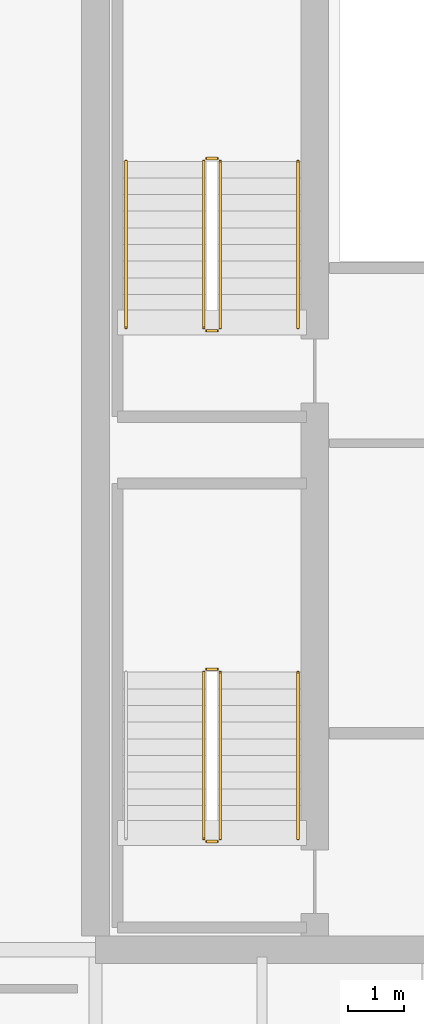
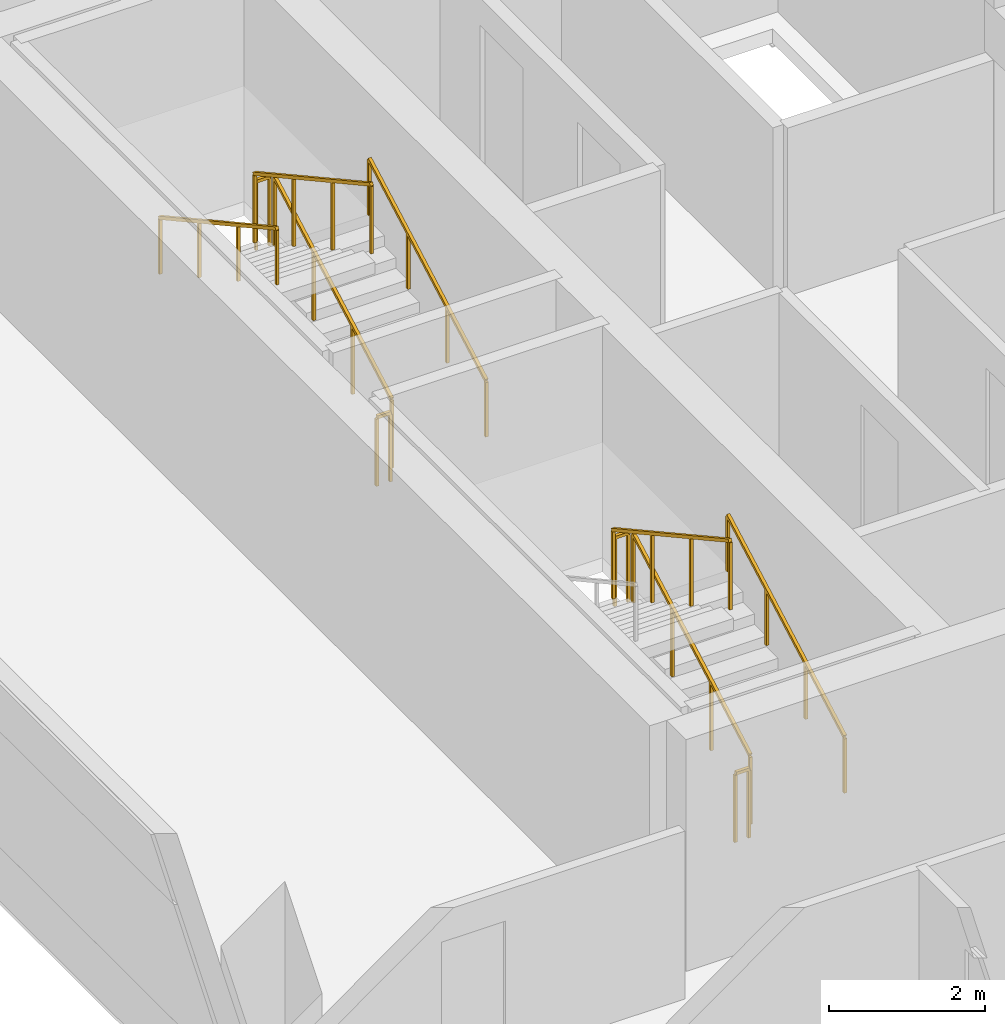
# One storey, part 35 of 39: 11 railings.
"""IFC4 building model written with IfcOpenShell, lengths in metres."""

from ifc_helpers import new_model, si_unit, direction, frame, origin, place, context, subcontext, project, spatial, rectangle, extrude, material, type_object, element, save


model = new_model("IFC4")

# Units and contexts
model_context = context("Model", 3, precision=1e-05, world=origin(), true_north=direction((0.0, 1.0)))
body_context = subcontext(model_context, "Body", "Model", "MODEL_VIEW")
ifc_project = project(units=[si_unit("LENGTHUNIT", "METRE"), si_unit("AREAUNIT", "SQUARE_METRE"), si_unit("VOLUMEUNIT", "CUBIC_METRE"), si_unit("PLANEANGLEUNIT", "RADIAN"), si_unit("MASSUNIT", "GRAM", prefix="KILO")], contexts=[model_context])

# Site, building, storey
site_placement = place(None, origin())
site = spatial("IfcSite", under=ifc_project, at=site_placement, CompositionType="ELEMENT")
building_placement = place(site_placement, origin())
building = spatial("IfcBuilding", under=site, at=building_placement, Name="Tanjung Sevakor Pilgrim Tower", CompositionType="ELEMENT")
storey_placement = place(building_placement, frame((0.0, 0.0, 112.199951171875)))
storey = spatial("IfcBuildingStorey", under=building, at=storey_placement, Name="L31", CompositionType="ELEMENT", Elevation=112.199951171875)

# Railings
ifc_material_1 = material(Name="Steel S355J2", Category="steel")
railing_type_1 = type_object("IfcRailingType", Name="RL-STAIR-GUARD", PredefinedType="GUARDRAIL", material=ifc_material_1)
railing_1_placement = place(storey_placement, frame((26.25, 26.60009765625, 0.1650390625)))
element("IfcRailing", 1, at=railing_1_placement, inside=storey, type_object=railing_type_1, Name="L31 TS-W1 stair guard 1", PredefinedType="GUARDRAIL", context=body_context, shape_type="SweptSolid", body=[
    extrude(rectangle(XDim=0.0479, YDim=0.0479), frame((0.0, 0.0, 1.076171875), z_axis=(0.0, 0.876227952683, 0.48189685093), x_axis=(-1.0, 0.0, 0.0)), (0.0, 0.0, 1.0), 3.423828125),
    extrude(rectangle(XDim=0.042, YDim=0.042), origin(), (0.0, 0.0, 1.0), 1.052001953125),
    extrude(rectangle(XDim=0.042, YDim=0.042), frame((0.0, 1.0, 0.550048828125)), (0.0, 0.0, 1.0), 1.052001953125),
    extrude(rectangle(XDim=0.042, YDim=0.042), frame((0.0, 2.0, 1.099853515625)), (0.0, 0.0, 1.0), 1.052001953125),
    extrude(rectangle(XDim=0.042, YDim=0.042), frame((0.0, 3.0, 1.64990234375)), (0.0, 0.0, 1.0), 1.052001953125),
])
railing_2_placement = place(storey_placement, frame((26.199951171875, 29.64990234375, 1.81494140625)))
element("IfcRailing", 2, at=railing_2_placement, inside=storey, type_object=railing_type_1, Name="L31 TS-W1 stair guard 2", PredefinedType="GUARDRAIL", context=body_context, shape_type="SweptSolid", body=[
    extrude(rectangle(XDim=0.0479, YDim=0.0479), frame((0.0, 0.0, 1.076171875), z_axis=(-1.0, 0.0, 0.0), x_axis=(0.0, -1.0, 0.0)), (0.0, 0.0, 1.0), 0.199951171875),
    extrude(rectangle(XDim=0.042, YDim=0.042), origin(), (0.0, 0.0, 1.0), 1.052001953125),
    extrude(rectangle(XDim=0.042, YDim=0.042), frame((-0.199951171875, 0.0, 0.0)), (0.0, 0.0, 1.0), 1.052001953125),
])
railing_3_placement = place(storey_placement, frame((25.949951171875, 29.60009765625, 1.97998046875)))
element("IfcRailing", 3, at=railing_3_placement, inside=storey, type_object=railing_type_1, Name="L31 TS-W1 stair guard 3", PredefinedType="GUARDRAIL", context=body_context, shape_type="SweptSolid", body=[
    extrude(rectangle(XDim=0.0479, YDim=0.0479), frame((0.0, 0.0, 1.076171875), z_axis=(0.0, -0.876197842262, 0.481951596342), x_axis=(1.0, 0.0, 0.0)), (0.0, 0.0, 1.0), 3.423828125),
    extrude(rectangle(XDim=0.042, YDim=0.042), origin(), (0.0, 0.0, 1.0), 1.052001953125),
    extrude(rectangle(XDim=0.042, YDim=0.042), frame((0.0, -1.0, 0.550048828125)), (0.0, 0.0, 1.0), 1.052001953125),
    extrude(rectangle(XDim=0.042, YDim=0.042), frame((0.0, -2.0, 1.10009765625)), (0.0, 0.0, 1.0), 1.052001953125),
    extrude(rectangle(XDim=0.042, YDim=0.042), frame((0.0, -3.0, 1.650146484375)), (0.0, 0.0, 1.0), 1.052001953125),
])
railing_4_placement = place(storey_placement, frame((26.199951171875, 26.550048828125, 0.0)))
element("IfcRailing", 4, at=railing_4_placement, inside=storey, type_object=railing_type_1, Name="L31 TS-W1 stair guard 4", PredefinedType="GUARDRAIL", context=body_context, shape_type="SweptSolid", body=[
    extrude(rectangle(XDim=0.0479, YDim=0.0479), frame((0.0, 0.0, 1.076171875), z_axis=(-1.0, 0.0, 0.0), x_axis=(0.0, -1.0, 0.0)), (0.0, 0.0, 1.0), 0.199951171875),
    extrude(rectangle(XDim=0.042, YDim=0.042), origin(), (0.0, 0.0, 1.0), 1.052001953125),
    extrude(rectangle(XDim=0.042, YDim=0.042), frame((-0.199951171875, 0.0, 0.0)), (0.0, 0.0, 1.0), 1.052001953125),
])
railing_5_placement = place(storey_placement, frame((26.25, 35.800048828125, 0.1650390625)))
element("IfcRailing", 5, at=railing_5_placement, inside=storey, type_object=railing_type_1, Name="L31 TS-W2 stair guard 1", PredefinedType="GUARDRAIL", context=body_context, shape_type="SweptSolid", body=[
    extrude(rectangle(XDim=0.0479, YDim=0.0479), frame((0.0, 0.0, 1.076171875), z_axis=(0.0, 0.876227952683, 0.48189685093), x_axis=(-1.0, 0.0, 0.0)), (0.0, 0.0, 1.0), 3.423828125),
    extrude(rectangle(XDim=0.042, YDim=0.042), origin(), (0.0, 0.0, 1.0), 1.052001953125),
    extrude(rectangle(XDim=0.042, YDim=0.042), frame((0.0, 1.0, 0.550048828125)), (0.0, 0.0, 1.0), 1.052001953125),
    extrude(rectangle(XDim=0.042, YDim=0.042), frame((0.0, 2.0, 1.099853515625)), (0.0, 0.0, 1.0), 1.052001953125),
    extrude(rectangle(XDim=0.042, YDim=0.042), frame((0.0, 3.0, 1.64990234375)), (0.0, 0.0, 1.0), 1.052001953125),
])
railing_6_placement = place(storey_placement, frame((26.199951171875, 38.85009765625, 1.81494140625)))
element("IfcRailing", 6, at=railing_6_placement, inside=storey, type_object=railing_type_1, Name="L31 TS-W2 stair guard 2", PredefinedType="GUARDRAIL", context=body_context, shape_type="SweptSolid", body=[
    extrude(rectangle(XDim=0.0479, YDim=0.0479), frame((0.0, 0.0, 1.076171875), z_axis=(-1.0, 0.0, 0.0), x_axis=(0.0, -1.0, 0.0)), (0.0, 0.0, 1.0), 0.199951171875),
    extrude(rectangle(XDim=0.042, YDim=0.042), origin(), (0.0, 0.0, 1.0), 1.052001953125),
    extrude(rectangle(XDim=0.042, YDim=0.042), frame((-0.199951171875, 0.0, 0.0)), (0.0, 0.0, 1.0), 1.052001953125),
])
railing_7_placement = place(storey_placement, frame((25.949951171875, 38.800048828125, 1.97998046875)))
element("IfcRailing", 7, at=railing_7_placement, inside=storey, type_object=railing_type_1, Name="L31 TS-W2 stair guard 3", PredefinedType="GUARDRAIL", context=body_context, shape_type="SweptSolid", body=[
    extrude(rectangle(XDim=0.0479, YDim=0.0479), frame((0.0, 0.0, 1.076171875), z_axis=(0.0, -0.876197842262, 0.481951596342), x_axis=(1.0, 0.0, 0.0)), (0.0, 0.0, 1.0), 3.423828125),
    extrude(rectangle(XDim=0.042, YDim=0.042), origin(), (0.0, 0.0, 1.0), 1.052001953125),
    extrude(rectangle(XDim=0.042, YDim=0.042), frame((0.0, -1.0, 0.550048828125)), (0.0, 0.0, 1.0), 1.052001953125),
    extrude(rectangle(XDim=0.042, YDim=0.042), frame((0.0, -2.0, 1.10009765625)), (0.0, 0.0, 1.0), 1.052001953125),
    extrude(rectangle(XDim=0.042, YDim=0.042), frame((0.0, -3.0, 1.650146484375)), (0.0, 0.0, 1.0), 1.052001953125),
])
railing_8_placement = place(storey_placement, frame((26.199951171875, 35.75, 0.0)))
element("IfcRailing", 8, at=railing_8_placement, inside=storey, type_object=railing_type_1, Name="L31 TS-W2 stair guard 4", PredefinedType="GUARDRAIL", context=body_context, shape_type="SweptSolid", body=[
    extrude(rectangle(XDim=0.0479, YDim=0.0479), frame((0.0, 0.0, 1.076171875), z_axis=(-1.0, 0.0, 0.0), x_axis=(0.0, -1.0, 0.0)), (0.0, 0.0, 1.0), 0.199951171875),
    extrude(rectangle(XDim=0.042, YDim=0.042), origin(), (0.0, 0.0, 1.0), 1.052001953125),
    extrude(rectangle(XDim=0.042, YDim=0.042), frame((-0.199951171875, 0.0, 0.0)), (0.0, 0.0, 1.0), 1.052001953125),
])
ifc_material_2 = material(Name="Steel S355J2", Category="steel")
railing_type_2 = type_object("IfcRailingType", Name="RL-STAIR-HAND", PredefinedType="HANDRAIL", material=ifc_material_2)
for number, where, name in (
    (9, (27.64990234375, 26.60009765625, 0.1650390625), "L31 TS-W1 stair handrail 1"),
    (10, (27.64990234375, 35.800048828125, 0.1650390625), "L31 TS-W2 stair handrail 1"),
):
    element("IfcRailing", number, at=place(storey_placement, frame(where)), inside=storey, type_object=railing_type_2, Name=name, PredefinedType="HANDRAIL", context=body_context, shape_type="SweptSolid", body=[
        extrude(rectangle(XDim=0.0479, YDim=0.0479), frame((0.0, 0.0, 0.8759765625), z_axis=(0.0, 0.876227952683, 0.48189685093), x_axis=(-1.0, 0.0, 0.0)), (0.0, 0.0, 1.0), 3.423828125),
        extrude(rectangle(XDim=0.042, YDim=0.042), origin(), (0.0, 0.0, 1.0), 0.851806640625),
        extrude(rectangle(XDim=0.042, YDim=0.042), frame((0.0, 1.0, 0.550048828125)), (0.0, 0.0, 1.0), 0.851806640625),
        extrude(rectangle(XDim=0.042, YDim=0.042), frame((0.0, 2.0, 1.099853515625)), (0.0, 0.0, 1.0), 0.851806640625),
        extrude(rectangle(XDim=0.042, YDim=0.042), frame((0.0, 3.0, 1.64990234375)), (0.0, 0.0, 1.0), 0.851806640625),
    ])
railing_9_placement = place(storey_placement, frame((24.550048828125, 38.800048828125, 1.97998046875)))
element("IfcRailing", 11, at=railing_9_placement, inside=storey, type_object=railing_type_2, Name="L31 TS-W2 stair handrail 2", PredefinedType="HANDRAIL", context=body_context, shape_type="SweptSolid", body=[
    extrude(rectangle(XDim=0.0479, YDim=0.0479), frame((0.0, 0.0, 0.8759765625), z_axis=(0.0, -0.876197842262, 0.481951596342), x_axis=(1.0, 0.0, 0.0)), (0.0, 0.0, 1.0), 3.423828125),
    extrude(rectangle(XDim=0.042, YDim=0.042), origin(), (0.0, 0.0, 1.0), 0.851806640625),
    extrude(rectangle(XDim=0.042, YDim=0.042), frame((0.0, -1.0, 0.550048828125)), (0.0, 0.0, 1.0), 0.851806640625),
    extrude(rectangle(XDim=0.042, YDim=0.042), frame((0.0, -2.0, 1.10009765625)), (0.0, 0.0, 1.0), 0.851806640625),
    extrude(rectangle(XDim=0.042, YDim=0.042), frame((0.0, -3.0, 1.650146484375)), (0.0, 0.0, 1.0), 0.851806640625),
])

save(model, "model.ifc")
